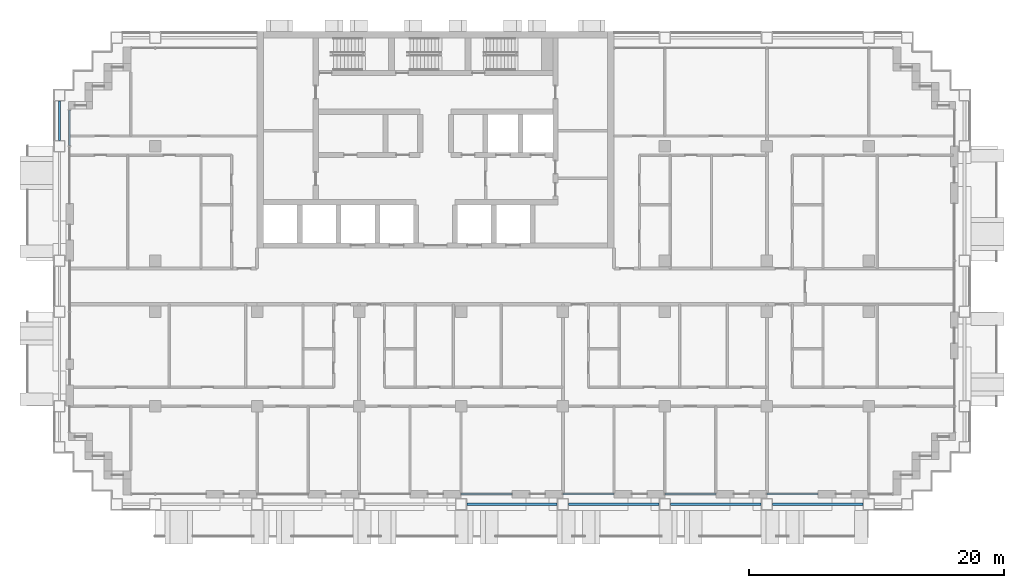
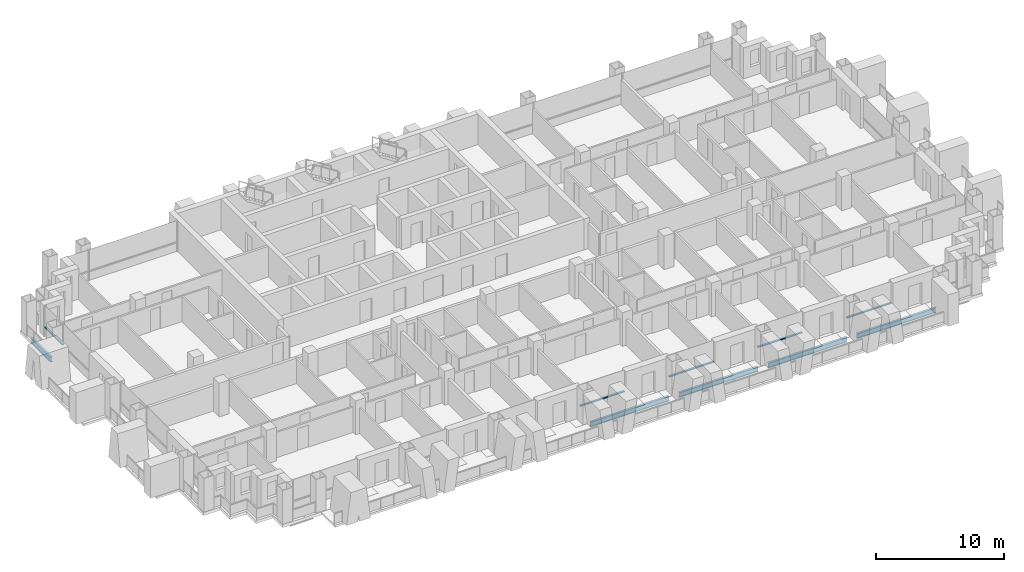
# One storey, part 3 of 18: 5 beams, 5 members, 5 elements without a shape of their own.
"""IFC4 building model written with IfcOpenShell, lengths in metres."""

from ifc_helpers import new_model, si_unit, direction, frame, origin, origin_2d, place, context, subcontext, project, spatial, rectangle, i_section, extrude, material, material_profile, profile_set, type_object, element, aggregate, save


model = new_model("IFC4")

# Units and contexts
model_context = context("Model", 3, precision=1e-05, world=origin(), true_north=direction((0.0, 1.0)))
body_context = subcontext(model_context, "Body", "Model", "MODEL_VIEW")
ifc_project = project(units=[si_unit("LENGTHUNIT", "METRE"), si_unit("AREAUNIT", "SQUARE_METRE"), si_unit("VOLUMEUNIT", "CUBIC_METRE"), si_unit("PLANEANGLEUNIT", "RADIAN"), si_unit("MASSUNIT", "GRAM", prefix="KILO")], contexts=[model_context])

# Site, building, storey
site_placement = place(None, origin())
site = spatial("IfcSite", under=ifc_project, at=site_placement, CompositionType="ELEMENT")
building_placement = place(site_placement, origin())
building = spatial("IfcBuilding", under=site, at=building_placement, Name="Vidyagriha Tower", CompositionType="ELEMENT")
storey_placement = place(building_placement, frame((0.0, 0.0, 83.89990234375)))
storey = spatial("IfcBuildingStorey", under=building, at=storey_placement, Name="L21", CompositionType="ELEMENT", Elevation=83.89990234375)

# Beams
ifc_material_1 = material(Name="Steel ASTM A992 Grade 50", Category="steel")
ifc_material_profile_1 = material_profile(ifc_material_1, i_section(OverallWidth=0.19189453125, OverallDepth=0.46240234375, WebThickness=0.010498046875, FlangeThickness=0.017578125, at=origin_2d()), Name="W18X60")
ifc_profile_set_1 = profile_set([ifc_material_profile_1], Name="Steel ASTM A992 Grade 50")
beam_type = type_object("IfcBeamType", Name="Edge beam W18X60", PredefinedType="SPANDREL", material=ifc_profile_set_1)
for number, where, z_axis, x_axis, name in (
    (1, (2.449951171875, -17.10009765625, -0.510986328125), (1.0, 0.0, 0.0), (0.0, 1.0, 0.0), "st-beam-L21-S05"),
    (2, (10.449951171875, -17.10009765625, -0.510986328125), (1.0, 0.0, 0.0), (0.0, 1.0, 0.0), "st-beam-L21-S06"),
    (3, (18.449951171875, -17.10009765625, -0.510986328125), (1.0, 0.0, 0.0), (0.0, 1.0, 0.0), "st-beam-L21-S07"),
    (4, (26.449951171875, -17.10009765625, -0.510986328125), (1.0, 0.0, 0.0), (0.0, 1.0, 0.0), "st-beam-L21-S08"),
):
    element("IfcBeam", number, at=place(storey_placement, frame(where, z_axis=z_axis, x_axis=x_axis)), inside=storey, type_object=beam_type, Name=name, PredefinedType="SPANDREL", context=body_context, shape_type="SweptSolid", body=[
        extrude(i_section(OverallWidth=0.19189453125, OverallDepth=0.46240234375, WebThickness=0.010498046875, FlangeThickness=0.017578125, at=origin_2d()), origin(), (0.0, 0.0, 1.0), 7.10009765625),
    ])
beam_placement = place(storey_placement, frame((-29.5, 11.449951171875, -0.510986328125), z_axis=(0.0, 1.0, 0.0), x_axis=(-1.0, 0.0, 0.0)))
element("IfcBeam", 5, at=beam_placement, inside=storey, type_object=beam_type, Name="st-beam-L21-W14", PredefinedType="SPANDREL", context=body_context, shape_type="SweptSolid", body=[
    extrude(i_section(OverallWidth=0.19189453125, OverallDepth=0.46240234375, WebThickness=0.010498046875, FlangeThickness=0.017578125, at=origin_2d()), origin(), (0.0, 0.0, 1.0), 3.10009765625),
])

# Curtain wall, member
ifc_material_2 = material(Name="Aluminium and glass curtain wall", Category="aluminium")
curtain_wall_type = type_object("IfcCurtainWallType", Name="Dwelling skin unitised curtain wall", PredefinedType="USERDEFINED", material=ifc_material_2)
curtain_wall_1_placement = place(storey_placement, origin())
curtain_wall_1 = element("IfcCurtainWall", 6, at=curtain_wall_1_placement, inside=storey, type_object=curtain_wall_type, Name="CW1 dwelling skin", ObjectType="UNITISED", PredefinedType="USERDEFINED")
ifc_material_3 = material(Name="Aluminium black anodised", Category="aluminium")
ifc_material_profile_2 = material_profile(ifc_material_3, rectangle(XDim=0.159912109375, YDim=0.10009765625, at=origin_2d()), Name="Transom 100x160 black aluminium")
ifc_profile_set_2 = profile_set([ifc_material_profile_2], Name="Aluminium black anodised")
member_type = type_object("IfcMemberType", Name="Transom 100x160 black aluminium", PredefinedType="USERDEFINED", material=ifc_profile_set_2)
member_1_placement = place(storey_placement, frame((-28.699951171875, 13.830078125, 0.900146484375), z_axis=(0.0, -1.0, 0.0), x_axis=(1.0, 0.0, 0.0)))
member_1 = element("IfcMember", 7, at=member_1_placement, type_object=member_type, Name="CW1 transom 1.1", ObjectType="TRANSOM", PredefinedType="USERDEFINED", context=body_context, shape_type="SweptSolid", body=[
    extrude(rectangle(XDim=0.159912109375, YDim=0.10009765625, at=origin_2d()), origin(), (0.0, 0.0, 1.0), 2.795166015625),
])
aggregate(curtain_wall_1, [member_1])

curtain_wall_2_placement = place(storey_placement, origin())
curtain_wall_2 = element("IfcCurtainWall", 8, at=curtain_wall_2_placement, inside=storey, type_object=curtain_wall_type, Name="CW1 dwelling skin", ObjectType="UNITISED", PredefinedType="USERDEFINED")
member_2_placement = place(storey_placement, frame((2.0, -16.300048828125, 0.900146484375), z_axis=(1.0, 0.0, 0.0), x_axis=(0.0, 1.0, 0.0)))
member_2 = element("IfcMember", 9, at=member_2_placement, type_object=member_type, Name="CW1 transom 1.1", ObjectType="TRANSOM", PredefinedType="USERDEFINED", context=body_context, shape_type="SweptSolid", body=[
    extrude(rectangle(XDim=0.159912109375, YDim=0.10009765625, at=origin_2d()), origin(), (0.0, 0.0, 1.0), 4.0),
])
aggregate(curtain_wall_2, [member_2])

curtain_wall_3_placement = place(storey_placement, origin())
curtain_wall_3 = element("IfcCurtainWall", 10, at=curtain_wall_3_placement, inside=storey, type_object=curtain_wall_type, Name="CW1 dwelling skin", ObjectType="UNITISED", PredefinedType="USERDEFINED")
member_3_placement = place(storey_placement, frame((10.0, -16.300048828125, 0.900146484375), z_axis=(1.0, 0.0, 0.0), x_axis=(0.0, 1.0, 0.0)))
member_3 = element("IfcMember", 11, at=member_3_placement, type_object=member_type, Name="CW1 transom 1.1", ObjectType="TRANSOM", PredefinedType="USERDEFINED", context=body_context, shape_type="SweptSolid", body=[
    extrude(rectangle(XDim=0.159912109375, YDim=0.10009765625, at=origin_2d()), origin(), (0.0, 0.0, 1.0), 4.0),
])
aggregate(curtain_wall_3, [member_3])

curtain_wall_4_placement = place(storey_placement, origin())
curtain_wall_4 = element("IfcCurtainWall", 12, at=curtain_wall_4_placement, inside=storey, type_object=curtain_wall_type, Name="CW1 dwelling skin", ObjectType="UNITISED", PredefinedType="USERDEFINED")
member_4_placement = place(storey_placement, frame((18.0, -16.300048828125, 0.900146484375), z_axis=(1.0, 0.0, 0.0), x_axis=(0.0, 1.0, 0.0)))
member_4 = element("IfcMember", 13, at=member_4_placement, type_object=member_type, Name="CW1 transom 1.1", ObjectType="TRANSOM", PredefinedType="USERDEFINED", context=body_context, shape_type="SweptSolid", body=[
    extrude(rectangle(XDim=0.159912109375, YDim=0.10009765625, at=origin_2d()), origin(), (0.0, 0.0, 1.0), 4.0),
])
aggregate(curtain_wall_4, [member_4])

curtain_wall_5_placement = place(storey_placement, origin())
curtain_wall_5 = element("IfcCurtainWall", 14, at=curtain_wall_5_placement, inside=storey, type_object=curtain_wall_type, Name="CW1 dwelling skin", ObjectType="UNITISED", PredefinedType="USERDEFINED")
member_5_placement = place(storey_placement, frame((26.0, -16.300048828125, 0.900146484375), z_axis=(1.0, 0.0, 0.0), x_axis=(0.0, 1.0, 0.0)))
member_5 = element("IfcMember", 15, at=member_5_placement, type_object=member_type, Name="CW1 transom 1.1", ObjectType="TRANSOM", PredefinedType="USERDEFINED", context=body_context, shape_type="SweptSolid", body=[
    extrude(rectangle(XDim=0.159912109375, YDim=0.10009765625, at=origin_2d()), origin(), (0.0, 0.0, 1.0), 4.0),
])
aggregate(curtain_wall_5, [member_5])

save(model, "model.ifc")
